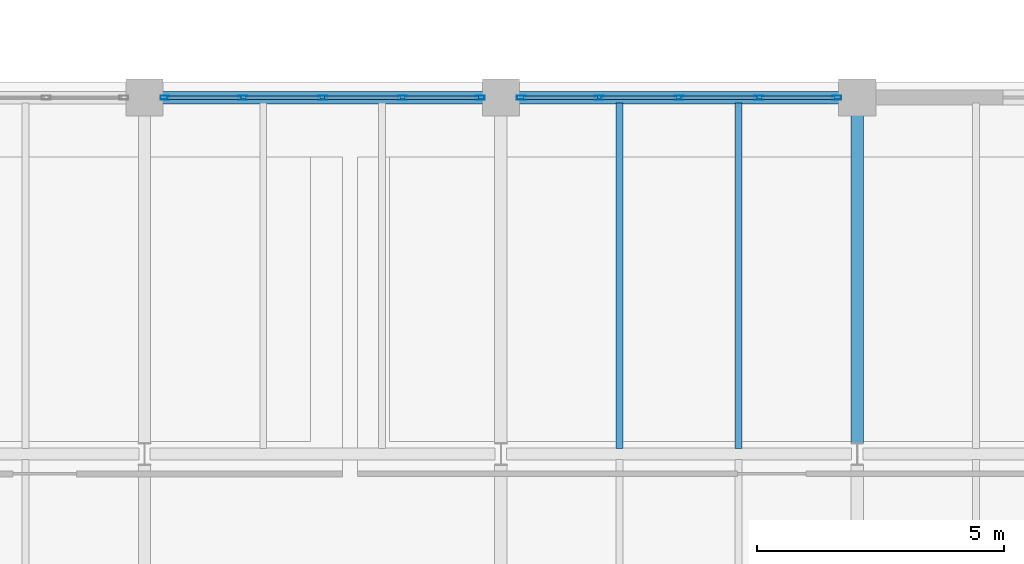
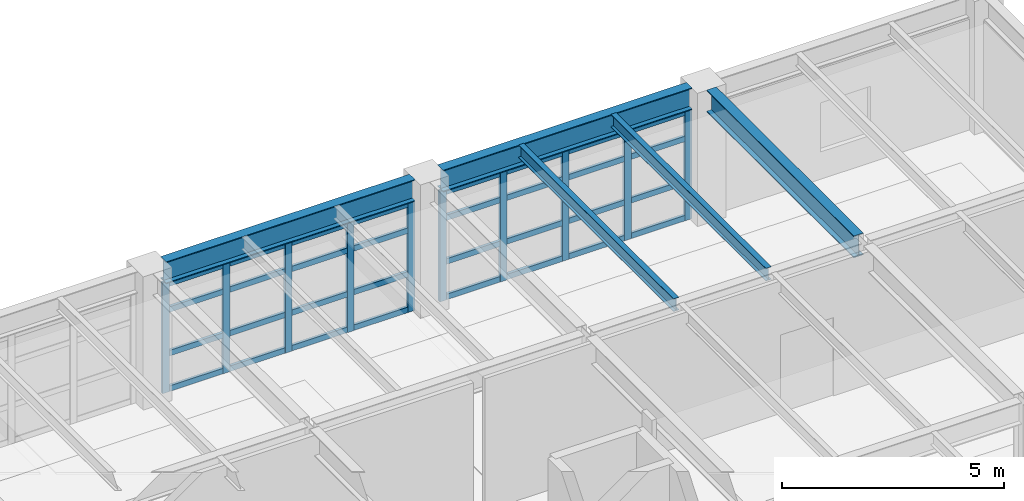
# One storey, part 11 of 32: 42 members, 5 beams, 2 elements without a shape of their own.
"""IFC4 building model written with IfcOpenShell, lengths in metres."""

from ifc_helpers import new_model, si_unit, direction, frame, origin, origin_2d, place, context, subcontext, project, spatial, hollow_rectangle, i_section, extrude, material, layer, layer_set, material_profile, profile_set, type_object, element, aggregate, save


model = new_model("IFC4")

# Units and contexts
model_context = context("Model", 3, precision=1e-05, world=origin(), true_north=direction((0.0, 1.0)))
body_context = subcontext(model_context, "Body", "Model", "MODEL_VIEW")
ifc_project = project(units=[si_unit("LENGTHUNIT", "METRE"), si_unit("AREAUNIT", "SQUARE_METRE"), si_unit("VOLUMEUNIT", "CUBIC_METRE"), si_unit("PLANEANGLEUNIT", "RADIAN"), si_unit("MASSUNIT", "GRAM", prefix="KILO")], contexts=[model_context])

# Site, building, storey
site_placement = place(None, origin())
site = spatial("IfcSite", under=ifc_project, at=site_placement, CompositionType="ELEMENT")
building_placement = place(site_placement, origin())
building = spatial("IfcBuilding", under=site, at=building_placement, Name="Kandorven Conservatory and Botanical Research Centre", CompositionType="ELEMENT")
storey_placement = place(building_placement, frame((0.0, 0.0, 17.10009765625)))
storey = spatial("IfcBuildingStorey", under=building, at=storey_placement, Name="L04", CompositionType="ELEMENT", Elevation=17.10009765625)

# Beams
ifc_material_1 = material(Name="Steel S355 (IS 2062 E350)", Category="steel")
ifc_material_profile_1 = material_profile(ifc_material_1, i_section(OverallWidth=0.25, OverallDepth=0.60009765625, WebThickness=0.01171875, FlangeThickness=0.023681640625, at=origin_2d()))
ifc_profile_set_1 = profile_set([ifc_material_profile_1], Name="Steel S355 (IS 2062 E350)")
beam_type_1 = type_object("IfcBeamType", Name="Beam_FG-01", PredefinedType="USERDEFINED", material=ifc_profile_set_1)
beam_1_placement = place(storey_placement, frame((20.764892578125, 34.800048828125, 3.35986328125), z_axis=(1.0, 0.0, 0.0), x_axis=(0.0, 1.0, 0.0)))
element("IfcBeam", 1, at=beam_1_placement, inside=storey, type_object=beam_type_1, Name="Primary girder FG-01 TWR L04", ObjectType="GIRDER", PredefinedType="USERDEFINED", context=body_context, shape_type="SweptSolid", body=[
    extrude(i_section(OverallWidth=0.25, OverallDepth=0.60009765625, WebThickness=0.01171875, FlangeThickness=0.023681640625, at=origin_2d()), origin(), (0.0, 0.0, 1.0), 6.47021484375),
])
beam_2_placement = place(storey_placement, frame((27.965087890625, 34.800048828125, 3.35986328125), z_axis=(1.0, 0.0, 0.0), x_axis=(0.0, 1.0, 0.0)))
element("IfcBeam", 2, at=beam_2_placement, inside=storey, type_object=beam_type_1, Name="Primary girder FG-01 TWR L04", ObjectType="GIRDER", PredefinedType="USERDEFINED", context=body_context, shape_type="SweptSolid", body=[
    extrude(i_section(OverallWidth=0.25, OverallDepth=0.60009765625, WebThickness=0.01171875, FlangeThickness=0.023681640625, at=origin_2d()), origin(), (0.0, 0.0, 1.0), 6.469970703125),
])
beam_3_placement = place(storey_placement, frame((34.800048828125, 27.81494140625, 3.35986328125), z_axis=(0.0, 1.0, 0.0), x_axis=(-1.0, 0.0, 0.0)))
element("IfcBeam", 3, at=beam_3_placement, inside=storey, type_object=beam_type_1, Name="Primary girder FG-01 TWR L04", ObjectType="GIRDER", PredefinedType="USERDEFINED", context=body_context, shape_type="SweptSolid", body=[
    extrude(i_section(OverallWidth=0.25, OverallDepth=0.60009765625, WebThickness=0.01171875, FlangeThickness=0.023681640625, at=origin_2d()), origin(), (0.0, 0.0, 1.0), 6.6201171875),
])
ifc_material_2 = material(Name="Steel S355 (IS 2062 E350)", Category="steel")
ifc_material_profile_2 = material_profile(ifc_material_2, i_section(OverallWidth=0.139892578125, OverallDepth=0.35009765625, WebThickness=0.008056640625, FlangeThickness=0.01416015625, at=origin_2d()))
ifc_profile_set_2 = profile_set([ifc_material_profile_2], Name="Steel S355 (IS 2062 E350)")
beam_type_2 = type_object("IfcBeamType", Name="Beam_SB-06", PredefinedType="BEAM", material=ifc_profile_set_2)
for number, where, z_axis, x_axis, name in (
    (4, (30.0, 27.7099609375, 3.48486328125), (0.0, 1.0, 0.0), (-1.0, 0.0, 0.0), "Composite secondary beam SB-06 TWR L04"),
    (5, (32.39990234375, 27.7099609375, 3.48486328125), (0.0, 1.0, 0.0), (-1.0, 0.0, 0.0), "Composite secondary beam SB-06 TWR L04"),
):
    element("IfcBeam", number, at=place(storey_placement, frame(where, z_axis=z_axis, x_axis=x_axis)), inside=storey, type_object=beam_type_2, Name=name, PredefinedType="BEAM", context=body_context, shape_type="SweptSolid", body=[
        extrude(i_section(OverallWidth=0.139892578125, OverallDepth=0.35009765625, WebThickness=0.008056640625, FlangeThickness=0.01416015625, at=origin_2d()), origin(), (0.0, 0.0, 1.0), 6.97998046875),
    ])

# Curtain wall, members
ifc_material_3 = material(Name="Bronze anodised thermally broken aluminium", Category="aluminium")
ifc_layer = layer(ifc_material_3, 0.179931640625)
ifc_layer_set = layer_set([ifc_layer], Name="Bronze anodised thermally broken aluminium")
curtain_wall_type = type_object("IfcCurtainWallType", Name="CW_Unitised", PredefinedType="USERDEFINED", material=ifc_layer_set)
curtain_wall_1_placement = place(storey_placement, origin())
curtain_wall_1 = element("IfcCurtainWall", 6, at=curtain_wall_1_placement, inside=storey, type_object=curtain_wall_type, Name="Tower laboratory curtain wall CW-TWR-N-L04-3", ObjectType="UNITISED GLAZING", PredefinedType="USERDEFINED")
ifc_material_4 = material(Name="Bronze anodised thermally broken aluminium", Category="aluminium")
ifc_material_profile_3 = material_profile(ifc_material_4, hollow_rectangle(XDim=0.080078125, YDim=0.179931640625, WallThickness=0.006103515625, at=origin_2d()))
ifc_profile_set_3 = profile_set([ifc_material_profile_3], Name="Bronze anodised thermally broken aluminium")
member_type_1 = type_object("IfcMemberType", Name="CW_Mullion", PredefinedType="MULLION", material=ifc_profile_set_3)
member_1_placement = place(storey_placement, frame((20.81494140625, 34.800048828125, 0.0), z_axis=(0.0, 0.0, 1.0), x_axis=(0.0, 1.0, 0.0)))
member_1 = element("IfcMember", 7, at=member_1_placement, type_object=member_type_1, Name="CW-01 mullion 1", PredefinedType="MULLION", context=body_context, shape_type="SweptSolid", body=[
    extrude(hollow_rectangle(XDim=0.080078125, YDim=0.179931640625, WallThickness=0.006103515625, at=origin_2d()), origin(), (0.0, 0.0, 1.0), 3.039794921875),
])
member_2_placement = place(storey_placement, frame((22.387451171875, 34.800048828125, 0.0), z_axis=(0.0, 0.0, 1.0), x_axis=(0.0, 1.0, 0.0)))
member_2 = element("IfcMember", 8, at=member_2_placement, type_object=member_type_1, Name="CW-01 mullion 2", PredefinedType="MULLION", context=body_context, shape_type="SweptSolid", body=[
    extrude(hollow_rectangle(XDim=0.080078125, YDim=0.179931640625, WallThickness=0.006103515625, at=origin_2d()), origin(), (0.0, 0.0, 1.0), 3.039794921875),
])
member_3_placement = place(storey_placement, frame((24.0, 34.800048828125, 0.0), z_axis=(0.0, 0.0, 1.0), x_axis=(0.0, 1.0, 0.0)))
member_3 = element("IfcMember", 9, at=member_3_placement, type_object=member_type_1, Name="CW-01 mullion 3", PredefinedType="MULLION", context=body_context, shape_type="SweptSolid", body=[
    extrude(hollow_rectangle(XDim=0.080078125, YDim=0.179931640625, WallThickness=0.006103515625, at=origin_2d()), origin(), (0.0, 0.0, 1.0), 3.039794921875),
])
member_4_placement = place(storey_placement, frame((25.612548828125, 34.800048828125, 0.0), z_axis=(0.0, 0.0, 1.0), x_axis=(0.0, 1.0, 0.0)))
member_4 = element("IfcMember", 10, at=member_4_placement, type_object=member_type_1, Name="CW-01 mullion 4", PredefinedType="MULLION", context=body_context, shape_type="SweptSolid", body=[
    extrude(hollow_rectangle(XDim=0.080078125, YDim=0.179931640625, WallThickness=0.006103515625, at=origin_2d()), origin(), (0.0, 0.0, 1.0), 3.039794921875),
])
member_5_placement = place(storey_placement, frame((27.18505859375, 34.800048828125, 0.0), z_axis=(0.0, 0.0, 1.0), x_axis=(0.0, 1.0, 0.0)))
member_5 = element("IfcMember", 11, at=member_5_placement, type_object=member_type_1, Name="CW-01 mullion 5", PredefinedType="MULLION", context=body_context, shape_type="SweptSolid", body=[
    extrude(hollow_rectangle(XDim=0.080078125, YDim=0.179931640625, WallThickness=0.006103515625, at=origin_2d()), origin(), (0.0, 0.0, 1.0), 3.039794921875),
])

curtain_wall_2_placement = place(storey_placement, origin())
curtain_wall_2 = element("IfcCurtainWall", 12, at=curtain_wall_2_placement, inside=storey, type_object=curtain_wall_type, Name="Tower laboratory curtain wall CW-TWR-N-L04-4", ObjectType="UNITISED GLAZING", PredefinedType="USERDEFINED")
member_6_placement = place(storey_placement, frame((28.014892578125, 34.800048828125, 0.0), z_axis=(0.0, 0.0, 1.0), x_axis=(0.0, 1.0, 0.0)))
member_6 = element("IfcMember", 13, at=member_6_placement, type_object=member_type_1, Name="CW-01 mullion 1", PredefinedType="MULLION", context=body_context, shape_type="SweptSolid", body=[
    extrude(hollow_rectangle(XDim=0.080078125, YDim=0.179931640625, WallThickness=0.006103515625, at=origin_2d()), origin(), (0.0, 0.0, 1.0), 3.039794921875),
])
member_7_placement = place(storey_placement, frame((29.58740234375, 34.800048828125, 0.0), z_axis=(0.0, 0.0, 1.0), x_axis=(0.0, 1.0, 0.0)))
member_7 = element("IfcMember", 14, at=member_7_placement, type_object=member_type_1, Name="CW-01 mullion 2", PredefinedType="MULLION", context=body_context, shape_type="SweptSolid", body=[
    extrude(hollow_rectangle(XDim=0.080078125, YDim=0.179931640625, WallThickness=0.006103515625, at=origin_2d()), origin(), (0.0, 0.0, 1.0), 3.039794921875),
])
member_8_placement = place(storey_placement, frame((31.199951171875, 34.800048828125, 0.0), z_axis=(0.0, 0.0, 1.0), x_axis=(0.0, 1.0, 0.0)))
member_8 = element("IfcMember", 15, at=member_8_placement, type_object=member_type_1, Name="CW-01 mullion 3", PredefinedType="MULLION", context=body_context, shape_type="SweptSolid", body=[
    extrude(hollow_rectangle(XDim=0.080078125, YDim=0.179931640625, WallThickness=0.006103515625, at=origin_2d()), origin(), (0.0, 0.0, 1.0), 3.039794921875),
])
member_9_placement = place(storey_placement, frame((32.8125, 34.800048828125, 0.0), z_axis=(0.0, 0.0, 1.0), x_axis=(0.0, 1.0, 0.0)))
member_9 = element("IfcMember", 16, at=member_9_placement, type_object=member_type_1, Name="CW-01 mullion 4", PredefinedType="MULLION", context=body_context, shape_type="SweptSolid", body=[
    extrude(hollow_rectangle(XDim=0.080078125, YDim=0.179931640625, WallThickness=0.006103515625, at=origin_2d()), origin(), (0.0, 0.0, 1.0), 3.039794921875),
])
member_10_placement = place(storey_placement, frame((34.385009765625, 34.800048828125, 0.0), z_axis=(0.0, 0.0, 1.0), x_axis=(0.0, 1.0, 0.0)))
member_10 = element("IfcMember", 17, at=member_10_placement, type_object=member_type_1, Name="CW-01 mullion 5", PredefinedType="MULLION", context=body_context, shape_type="SweptSolid", body=[
    extrude(hollow_rectangle(XDim=0.080078125, YDim=0.179931640625, WallThickness=0.006103515625, at=origin_2d()), origin(), (0.0, 0.0, 1.0), 3.039794921875),
])

# Member
ifc_material_5 = material(Name="Bronze anodised thermally broken aluminium", Category="aluminium")
ifc_material_profile_4 = material_profile(ifc_material_5, hollow_rectangle(XDim=0.074951171875, YDim=0.14990234375, WallThickness=0.006103515625, at=origin_2d()))
ifc_profile_set_4 = profile_set([ifc_material_profile_4], Name="Bronze anodised thermally broken aluminium")
member_type_2 = type_object("IfcMemberType", Name="CW_Transom", PredefinedType="USERDEFINED", material=ifc_profile_set_4)
member_11_placement = place(storey_placement, frame((20.85498046875, 34.800048828125, 0.074951171875), z_axis=(1.0, 0.0, 0.0), x_axis=(0.0, 1.0, 0.0)))
member_11 = element("IfcMember", 18, at=member_11_placement, type_object=member_type_2, Name="CW-01 transom 1.1", ObjectType="TRANSOM", PredefinedType="USERDEFINED", context=body_context, shape_type="SweptSolid", body=[
    extrude(hollow_rectangle(XDim=0.074951171875, YDim=0.14990234375, WallThickness=0.006103515625, at=origin_2d()), origin(), (0.0, 0.0, 1.0), 1.492431640625),
])

member_12_placement = place(storey_placement, frame((20.85498046875, 34.800048828125, 1.0498046875), z_axis=(1.0, 0.0, 0.0), x_axis=(0.0, 1.0, 0.0)))
member_12 = element("IfcMember", 19, at=member_12_placement, type_object=member_type_2, Name="CW-01 transom 1.2", ObjectType="TRANSOM", PredefinedType="USERDEFINED", context=body_context, shape_type="SweptSolid", body=[
    extrude(hollow_rectangle(XDim=0.074951171875, YDim=0.14990234375, WallThickness=0.006103515625, at=origin_2d()), origin(), (0.0, 0.0, 1.0), 1.492431640625),
])

member_13_placement = place(storey_placement, frame((20.85498046875, 34.800048828125, 2.25), z_axis=(1.0, 0.0, 0.0), x_axis=(0.0, 1.0, 0.0)))
member_13 = element("IfcMember", 20, at=member_13_placement, type_object=member_type_2, Name="CW-01 transom 1.3", ObjectType="TRANSOM", PredefinedType="USERDEFINED", context=body_context, shape_type="SweptSolid", body=[
    extrude(hollow_rectangle(XDim=0.074951171875, YDim=0.14990234375, WallThickness=0.006103515625, at=origin_2d()), origin(), (0.0, 0.0, 1.0), 1.492431640625),
])

member_14_placement = place(storey_placement, frame((20.85498046875, 34.800048828125, 2.96484375), z_axis=(1.0, 0.0, 0.0), x_axis=(0.0, 1.0, 0.0)))
member_14 = element("IfcMember", 21, at=member_14_placement, type_object=member_type_2, Name="CW-01 transom 1.4", ObjectType="TRANSOM", PredefinedType="USERDEFINED", context=body_context, shape_type="SweptSolid", body=[
    extrude(hollow_rectangle(XDim=0.074951171875, YDim=0.14990234375, WallThickness=0.006103515625, at=origin_2d()), origin(), (0.0, 0.0, 1.0), 1.492431640625),
])

member_15_placement = place(storey_placement, frame((22.427490234375, 34.800048828125, 0.074951171875), z_axis=(1.0, 0.0, 0.0), x_axis=(0.0, 1.0, 0.0)))
member_15 = element("IfcMember", 22, at=member_15_placement, type_object=member_type_2, Name="CW-01 transom 2.1", ObjectType="TRANSOM", PredefinedType="USERDEFINED", context=body_context, shape_type="SweptSolid", body=[
    extrude(hollow_rectangle(XDim=0.074951171875, YDim=0.14990234375, WallThickness=0.006103515625, at=origin_2d()), origin(), (0.0, 0.0, 1.0), 1.532470703125),
])

member_16_placement = place(storey_placement, frame((22.427490234375, 34.800048828125, 1.0498046875), z_axis=(1.0, 0.0, 0.0), x_axis=(0.0, 1.0, 0.0)))
member_16 = element("IfcMember", 23, at=member_16_placement, type_object=member_type_2, Name="CW-01 transom 2.2", ObjectType="TRANSOM", PredefinedType="USERDEFINED", context=body_context, shape_type="SweptSolid", body=[
    extrude(hollow_rectangle(XDim=0.074951171875, YDim=0.14990234375, WallThickness=0.006103515625, at=origin_2d()), origin(), (0.0, 0.0, 1.0), 1.532470703125),
])

member_17_placement = place(storey_placement, frame((22.427490234375, 34.800048828125, 2.25), z_axis=(1.0, 0.0, 0.0), x_axis=(0.0, 1.0, 0.0)))
member_17 = element("IfcMember", 24, at=member_17_placement, type_object=member_type_2, Name="CW-01 transom 2.3", ObjectType="TRANSOM", PredefinedType="USERDEFINED", context=body_context, shape_type="SweptSolid", body=[
    extrude(hollow_rectangle(XDim=0.074951171875, YDim=0.14990234375, WallThickness=0.006103515625, at=origin_2d()), origin(), (0.0, 0.0, 1.0), 1.532470703125),
])

member_18_placement = place(storey_placement, frame((22.427490234375, 34.800048828125, 2.96484375), z_axis=(1.0, 0.0, 0.0), x_axis=(0.0, 1.0, 0.0)))
member_18 = element("IfcMember", 25, at=member_18_placement, type_object=member_type_2, Name="CW-01 transom 2.4", ObjectType="TRANSOM", PredefinedType="USERDEFINED", context=body_context, shape_type="SweptSolid", body=[
    extrude(hollow_rectangle(XDim=0.074951171875, YDim=0.14990234375, WallThickness=0.006103515625, at=origin_2d()), origin(), (0.0, 0.0, 1.0), 1.532470703125),
])

member_19_placement = place(storey_placement, frame((24.0400390625, 34.800048828125, 0.074951171875), z_axis=(1.0, 0.0, 0.0), x_axis=(0.0, 1.0, 0.0)))
member_19 = element("IfcMember", 26, at=member_19_placement, type_object=member_type_2, Name="CW-01 transom 3.1", ObjectType="TRANSOM", PredefinedType="USERDEFINED", context=body_context, shape_type="SweptSolid", body=[
    extrude(hollow_rectangle(XDim=0.074951171875, YDim=0.14990234375, WallThickness=0.006103515625, at=origin_2d()), origin(), (0.0, 0.0, 1.0), 1.532470703125),
])

member_20_placement = place(storey_placement, frame((24.0400390625, 34.800048828125, 1.0498046875), z_axis=(1.0, 0.0, 0.0), x_axis=(0.0, 1.0, 0.0)))
member_20 = element("IfcMember", 27, at=member_20_placement, type_object=member_type_2, Name="CW-01 transom 3.2", ObjectType="TRANSOM", PredefinedType="USERDEFINED", context=body_context, shape_type="SweptSolid", body=[
    extrude(hollow_rectangle(XDim=0.074951171875, YDim=0.14990234375, WallThickness=0.006103515625, at=origin_2d()), origin(), (0.0, 0.0, 1.0), 1.532470703125),
])

member_21_placement = place(storey_placement, frame((24.0400390625, 34.800048828125, 2.25), z_axis=(1.0, 0.0, 0.0), x_axis=(0.0, 1.0, 0.0)))
member_21 = element("IfcMember", 28, at=member_21_placement, type_object=member_type_2, Name="CW-01 transom 3.3", ObjectType="TRANSOM", PredefinedType="USERDEFINED", context=body_context, shape_type="SweptSolid", body=[
    extrude(hollow_rectangle(XDim=0.074951171875, YDim=0.14990234375, WallThickness=0.006103515625, at=origin_2d()), origin(), (0.0, 0.0, 1.0), 1.532470703125),
])

member_22_placement = place(storey_placement, frame((24.0400390625, 34.800048828125, 2.96484375), z_axis=(1.0, 0.0, 0.0), x_axis=(0.0, 1.0, 0.0)))
member_22 = element("IfcMember", 29, at=member_22_placement, type_object=member_type_2, Name="CW-01 transom 3.4", ObjectType="TRANSOM", PredefinedType="USERDEFINED", context=body_context, shape_type="SweptSolid", body=[
    extrude(hollow_rectangle(XDim=0.074951171875, YDim=0.14990234375, WallThickness=0.006103515625, at=origin_2d()), origin(), (0.0, 0.0, 1.0), 1.532470703125),
])

member_23_placement = place(storey_placement, frame((25.652587890625, 34.800048828125, 0.074951171875), z_axis=(1.0, 0.0, 0.0), x_axis=(0.0, 1.0, 0.0)))
member_23 = element("IfcMember", 30, at=member_23_placement, type_object=member_type_2, Name="CW-01 transom 4.1", ObjectType="TRANSOM", PredefinedType="USERDEFINED", context=body_context, shape_type="SweptSolid", body=[
    extrude(hollow_rectangle(XDim=0.074951171875, YDim=0.14990234375, WallThickness=0.006103515625, at=origin_2d()), origin(), (0.0, 0.0, 1.0), 1.492431640625),
])

member_24_placement = place(storey_placement, frame((25.652587890625, 34.800048828125, 1.0498046875), z_axis=(1.0, 0.0, 0.0), x_axis=(0.0, 1.0, 0.0)))
member_24 = element("IfcMember", 31, at=member_24_placement, type_object=member_type_2, Name="CW-01 transom 4.2", ObjectType="TRANSOM", PredefinedType="USERDEFINED", context=body_context, shape_type="SweptSolid", body=[
    extrude(hollow_rectangle(XDim=0.074951171875, YDim=0.14990234375, WallThickness=0.006103515625, at=origin_2d()), origin(), (0.0, 0.0, 1.0), 1.492431640625),
])

member_25_placement = place(storey_placement, frame((25.652587890625, 34.800048828125, 2.25), z_axis=(1.0, 0.0, 0.0), x_axis=(0.0, 1.0, 0.0)))
member_25 = element("IfcMember", 32, at=member_25_placement, type_object=member_type_2, Name="CW-01 transom 4.3", ObjectType="TRANSOM", PredefinedType="USERDEFINED", context=body_context, shape_type="SweptSolid", body=[
    extrude(hollow_rectangle(XDim=0.074951171875, YDim=0.14990234375, WallThickness=0.006103515625, at=origin_2d()), origin(), (0.0, 0.0, 1.0), 1.492431640625),
])

member_26_placement = place(storey_placement, frame((25.652587890625, 34.800048828125, 2.96484375), z_axis=(1.0, 0.0, 0.0), x_axis=(0.0, 1.0, 0.0)))
member_26 = element("IfcMember", 33, at=member_26_placement, type_object=member_type_2, Name="CW-01 transom 4.4", ObjectType="TRANSOM", PredefinedType="USERDEFINED", context=body_context, shape_type="SweptSolid", body=[
    extrude(hollow_rectangle(XDim=0.074951171875, YDim=0.14990234375, WallThickness=0.006103515625, at=origin_2d()), origin(), (0.0, 0.0, 1.0), 1.492431640625),
])

aggregate(curtain_wall_1, [member_1, member_2, member_3, member_4, member_5, member_11, member_12, member_13, member_14, member_15, member_16, member_17, member_18, member_19, member_20, member_21, member_22, member_23, member_24, member_25, member_26])

member_27_placement = place(storey_placement, frame((28.054931640625, 34.800048828125, 0.074951171875), z_axis=(1.0, 0.0, 0.0), x_axis=(0.0, 1.0, 0.0)))
member_27 = element("IfcMember", 34, at=member_27_placement, type_object=member_type_2, Name="CW-01 transom 1.1", ObjectType="TRANSOM", PredefinedType="USERDEFINED", context=body_context, shape_type="SweptSolid", body=[
    extrude(hollow_rectangle(XDim=0.074951171875, YDim=0.14990234375, WallThickness=0.006103515625, at=origin_2d()), origin(), (0.0, 0.0, 1.0), 1.49267578125),
])

member_28_placement = place(storey_placement, frame((28.054931640625, 34.800048828125, 1.0498046875), z_axis=(1.0, 0.0, 0.0), x_axis=(0.0, 1.0, 0.0)))
member_28 = element("IfcMember", 35, at=member_28_placement, type_object=member_type_2, Name="CW-01 transom 1.2", ObjectType="TRANSOM", PredefinedType="USERDEFINED", context=body_context, shape_type="SweptSolid", body=[
    extrude(hollow_rectangle(XDim=0.074951171875, YDim=0.14990234375, WallThickness=0.006103515625, at=origin_2d()), origin(), (0.0, 0.0, 1.0), 1.49267578125),
])

member_29_placement = place(storey_placement, frame((28.054931640625, 34.800048828125, 2.25), z_axis=(1.0, 0.0, 0.0), x_axis=(0.0, 1.0, 0.0)))
member_29 = element("IfcMember", 36, at=member_29_placement, type_object=member_type_2, Name="CW-01 transom 1.3", ObjectType="TRANSOM", PredefinedType="USERDEFINED", context=body_context, shape_type="SweptSolid", body=[
    extrude(hollow_rectangle(XDim=0.074951171875, YDim=0.14990234375, WallThickness=0.006103515625, at=origin_2d()), origin(), (0.0, 0.0, 1.0), 1.49267578125),
])

member_30_placement = place(storey_placement, frame((28.054931640625, 34.800048828125, 2.96484375), z_axis=(1.0, 0.0, 0.0), x_axis=(0.0, 1.0, 0.0)))
member_30 = element("IfcMember", 37, at=member_30_placement, type_object=member_type_2, Name="CW-01 transom 1.4", ObjectType="TRANSOM", PredefinedType="USERDEFINED", context=body_context, shape_type="SweptSolid", body=[
    extrude(hollow_rectangle(XDim=0.074951171875, YDim=0.14990234375, WallThickness=0.006103515625, at=origin_2d()), origin(), (0.0, 0.0, 1.0), 1.49267578125),
])

member_31_placement = place(storey_placement, frame((29.62744140625, 34.800048828125, 0.074951171875), z_axis=(1.0, 0.0, 0.0), x_axis=(0.0, 1.0, 0.0)))
member_31 = element("IfcMember", 38, at=member_31_placement, type_object=member_type_2, Name="CW-01 transom 2.1", ObjectType="TRANSOM", PredefinedType="USERDEFINED", context=body_context, shape_type="SweptSolid", body=[
    extrude(hollow_rectangle(XDim=0.074951171875, YDim=0.14990234375, WallThickness=0.006103515625, at=origin_2d()), origin(), (0.0, 0.0, 1.0), 1.532470703125),
])

member_32_placement = place(storey_placement, frame((29.62744140625, 34.800048828125, 1.0498046875), z_axis=(1.0, 0.0, 0.0), x_axis=(0.0, 1.0, 0.0)))
member_32 = element("IfcMember", 39, at=member_32_placement, type_object=member_type_2, Name="CW-01 transom 2.2", ObjectType="TRANSOM", PredefinedType="USERDEFINED", context=body_context, shape_type="SweptSolid", body=[
    extrude(hollow_rectangle(XDim=0.074951171875, YDim=0.14990234375, WallThickness=0.006103515625, at=origin_2d()), origin(), (0.0, 0.0, 1.0), 1.532470703125),
])

member_33_placement = place(storey_placement, frame((29.62744140625, 34.800048828125, 2.25), z_axis=(1.0, 0.0, 0.0), x_axis=(0.0, 1.0, 0.0)))
member_33 = element("IfcMember", 40, at=member_33_placement, type_object=member_type_2, Name="CW-01 transom 2.3", ObjectType="TRANSOM", PredefinedType="USERDEFINED", context=body_context, shape_type="SweptSolid", body=[
    extrude(hollow_rectangle(XDim=0.074951171875, YDim=0.14990234375, WallThickness=0.006103515625, at=origin_2d()), origin(), (0.0, 0.0, 1.0), 1.532470703125),
])

member_34_placement = place(storey_placement, frame((29.62744140625, 34.800048828125, 2.96484375), z_axis=(1.0, 0.0, 0.0), x_axis=(0.0, 1.0, 0.0)))
member_34 = element("IfcMember", 41, at=member_34_placement, type_object=member_type_2, Name="CW-01 transom 2.4", ObjectType="TRANSOM", PredefinedType="USERDEFINED", context=body_context, shape_type="SweptSolid", body=[
    extrude(hollow_rectangle(XDim=0.074951171875, YDim=0.14990234375, WallThickness=0.006103515625, at=origin_2d()), origin(), (0.0, 0.0, 1.0), 1.532470703125),
])

member_35_placement = place(storey_placement, frame((31.239990234375, 34.800048828125, 0.074951171875), z_axis=(1.0, 0.0, 0.0), x_axis=(0.0, 1.0, 0.0)))
member_35 = element("IfcMember", 42, at=member_35_placement, type_object=member_type_2, Name="CW-01 transom 3.1", ObjectType="TRANSOM", PredefinedType="USERDEFINED", context=body_context, shape_type="SweptSolid", body=[
    extrude(hollow_rectangle(XDim=0.074951171875, YDim=0.14990234375, WallThickness=0.006103515625, at=origin_2d()), origin(), (0.0, 0.0, 1.0), 1.532470703125),
])

member_36_placement = place(storey_placement, frame((31.239990234375, 34.800048828125, 1.0498046875), z_axis=(1.0, 0.0, 0.0), x_axis=(0.0, 1.0, 0.0)))
member_36 = element("IfcMember", 43, at=member_36_placement, type_object=member_type_2, Name="CW-01 transom 3.2", ObjectType="TRANSOM", PredefinedType="USERDEFINED", context=body_context, shape_type="SweptSolid", body=[
    extrude(hollow_rectangle(XDim=0.074951171875, YDim=0.14990234375, WallThickness=0.006103515625, at=origin_2d()), origin(), (0.0, 0.0, 1.0), 1.532470703125),
])

member_37_placement = place(storey_placement, frame((31.239990234375, 34.800048828125, 2.25), z_axis=(1.0, 0.0, 0.0), x_axis=(0.0, 1.0, 0.0)))
member_37 = element("IfcMember", 44, at=member_37_placement, type_object=member_type_2, Name="CW-01 transom 3.3", ObjectType="TRANSOM", PredefinedType="USERDEFINED", context=body_context, shape_type="SweptSolid", body=[
    extrude(hollow_rectangle(XDim=0.074951171875, YDim=0.14990234375, WallThickness=0.006103515625, at=origin_2d()), origin(), (0.0, 0.0, 1.0), 1.532470703125),
])

member_38_placement = place(storey_placement, frame((31.239990234375, 34.800048828125, 2.96484375), z_axis=(1.0, 0.0, 0.0), x_axis=(0.0, 1.0, 0.0)))
member_38 = element("IfcMember", 45, at=member_38_placement, type_object=member_type_2, Name="CW-01 transom 3.4", ObjectType="TRANSOM", PredefinedType="USERDEFINED", context=body_context, shape_type="SweptSolid", body=[
    extrude(hollow_rectangle(XDim=0.074951171875, YDim=0.14990234375, WallThickness=0.006103515625, at=origin_2d()), origin(), (0.0, 0.0, 1.0), 1.532470703125),
])

member_39_placement = place(storey_placement, frame((32.8525390625, 34.800048828125, 0.074951171875), z_axis=(1.0, 0.0, 0.0), x_axis=(0.0, 1.0, 0.0)))
member_39 = element("IfcMember", 46, at=member_39_placement, type_object=member_type_2, Name="CW-01 transom 4.1", ObjectType="TRANSOM", PredefinedType="USERDEFINED", context=body_context, shape_type="SweptSolid", body=[
    extrude(hollow_rectangle(XDim=0.074951171875, YDim=0.14990234375, WallThickness=0.006103515625, at=origin_2d()), origin(), (0.0, 0.0, 1.0), 1.492431640625),
])

member_40_placement = place(storey_placement, frame((32.8525390625, 34.800048828125, 1.0498046875), z_axis=(1.0, 0.0, 0.0), x_axis=(0.0, 1.0, 0.0)))
member_40 = element("IfcMember", 47, at=member_40_placement, type_object=member_type_2, Name="CW-01 transom 4.2", ObjectType="TRANSOM", PredefinedType="USERDEFINED", context=body_context, shape_type="SweptSolid", body=[
    extrude(hollow_rectangle(XDim=0.074951171875, YDim=0.14990234375, WallThickness=0.006103515625, at=origin_2d()), origin(), (0.0, 0.0, 1.0), 1.492431640625),
])

member_41_placement = place(storey_placement, frame((32.8525390625, 34.800048828125, 2.25), z_axis=(1.0, 0.0, 0.0), x_axis=(0.0, 1.0, 0.0)))
member_41 = element("IfcMember", 48, at=member_41_placement, type_object=member_type_2, Name="CW-01 transom 4.3", ObjectType="TRANSOM", PredefinedType="USERDEFINED", context=body_context, shape_type="SweptSolid", body=[
    extrude(hollow_rectangle(XDim=0.074951171875, YDim=0.14990234375, WallThickness=0.006103515625, at=origin_2d()), origin(), (0.0, 0.0, 1.0), 1.492431640625),
])

member_42_placement = place(storey_placement, frame((32.8525390625, 34.800048828125, 2.96484375), z_axis=(1.0, 0.0, 0.0), x_axis=(0.0, 1.0, 0.0)))
member_42 = element("IfcMember", 49, at=member_42_placement, type_object=member_type_2, Name="CW-01 transom 4.4", ObjectType="TRANSOM", PredefinedType="USERDEFINED", context=body_context, shape_type="SweptSolid", body=[
    extrude(hollow_rectangle(XDim=0.074951171875, YDim=0.14990234375, WallThickness=0.006103515625, at=origin_2d()), origin(), (0.0, 0.0, 1.0), 1.492431640625),
])

aggregate(curtain_wall_2, [member_6, member_7, member_8, member_9, member_10, member_27, member_28, member_29, member_30, member_31, member_32, member_33, member_34, member_35, member_36, member_37, member_38, member_39, member_40, member_41, member_42])

save(model, "model.ifc")
